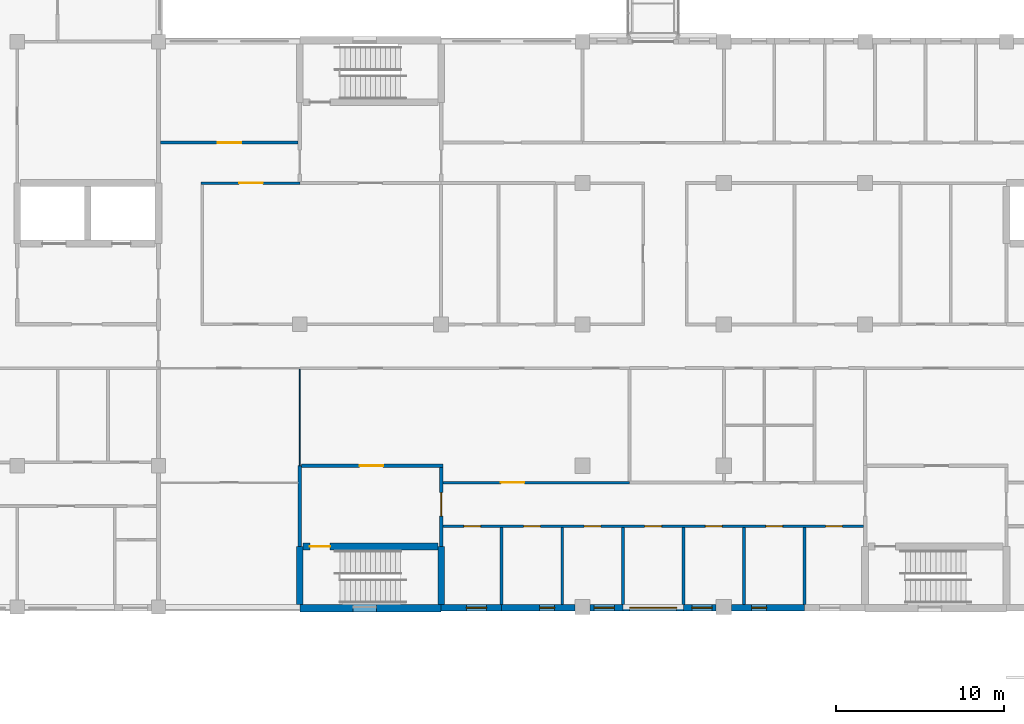
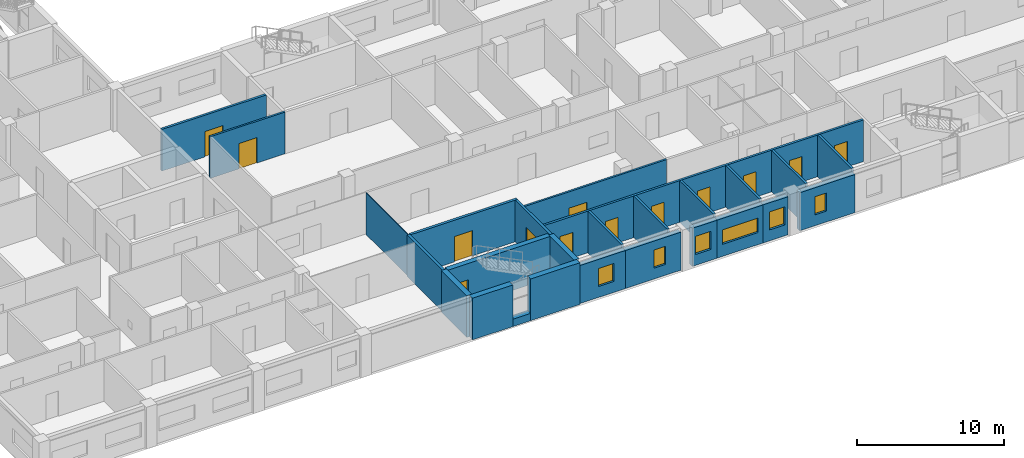
# One storey, part 53 of 94: 26 walls, 13 doors, 6 windows, 19 openings.
"""IFC4 building model written with IfcOpenShell, lengths in metres."""

import ifcopenshell
import ifcopenshell.guid

model = None  # the IFC model being written
_history = None  # IfcOwnerHistory: only IFC2X3 demands one
_inside = {}  # id of a spatial element -> (the spatial element, [elements in it])
_under = {}  # id of a project, library or spatial element -> (it, [spatial elements below it])
_declared = {}  # id of a project -> (the project, [libraries it declares])
_typed = {}  # id of a type object -> (the type object, [elements of that type])
_made_of = {}  # id of a material, layer set ... -> (it, [elements and type objects made of it])


def new_model(schema):
    """Start an empty IFC model of exactly this schema.

    Asked for "IFC4X3", IfcOpenShell would pick the latest addendum, in which some entities
    have other attributes; the version numbers below select the first issue.
    IFC2X3 requires an IfcOwnerHistory on every rooted entity: one is made here for all.
    """
    global model, _history
    if schema == "IFC4X3":
        model = ifcopenshell.file(schema_version=(4, 3, 0, 0))
    else:
        model = ifcopenshell.file(schema=schema)
    _inside.clear()
    _under.clear()
    _declared.clear()
    _typed.clear()
    _made_of.clear()
    _history = None
    if model.schema == "IFC2X3":
        org = make("IfcOrganization", Name="unknown")
        user = make(
            "IfcPersonAndOrganization",
            ThePerson=make("IfcPerson", FamilyName="unknown"),
            TheOrganization=org,
        )
        app = make(
            "IfcApplication",
            ApplicationDeveloper=org,
            Version="unknown",
            ApplicationFullName="unknown",
            ApplicationIdentifier="unknown",
        )
        _history = make(
            "IfcOwnerHistory",
            OwningUser=user,
            OwningApplication=app,
            ChangeAction="ADDED",
            CreationDate=0,
        )
    return model


def make(cls, **values):
    """One entity of the class cls with the attributes given. An attribute that is None is left unset."""
    return model.create_entity(
        cls, **{name: value for name, value in values.items() if value is not None}
    )


def rooted(cls, **values):
    """An entity with a GlobalId (a new one), such as an element, a storey or a relation."""
    return make(cls, GlobalId=ifcopenshell.guid.new(), OwnerHistory=_history, **values)


def si_unit(unit_type, name, prefix=None):
    """IfcSIUnit, for example si_unit("LENGTHUNIT", "METRE", prefix="MILLI")."""
    return make("IfcSIUnit", UnitType=unit_type, Prefix=prefix, Name=name)


def assignment(units):
    """IfcUnitAssignment: the units of a project."""
    return None if units is None else make("IfcUnitAssignment", Units=units)


def point(xyz):
    """IfcCartesianPoint."""
    return None if xyz is None else make("IfcCartesianPoint", Coordinates=xyz)


def direction(xyz):
    """IfcDirection."""
    return None if xyz is None else make("IfcDirection", DirectionRatios=xyz)


def frame(location, z_axis=None, x_axis=None):
    """IfcAxis2Placement3D, a coordinate frame: its origin and axes. An axis left out is left unset."""
    return make(
        "IfcAxis2Placement3D",
        Location=point(location),
        Axis=direction(z_axis),
        RefDirection=direction(x_axis),
    )


def frame_2d(location, x_axis=None):
    """IfcAxis2Placement2D, a coordinate frame in the plane: its origin and x axis."""
    return make(
        "IfcAxis2Placement2D", Location=point(location), RefDirection=direction(x_axis)
    )


def origin():
    """The frame at (0, 0, 0) with its axes left unset."""
    return frame((0.0, 0.0, 0.0))


def place(relative_to, where):
    """IfcLocalPlacement: puts the frame where relative to a parent placement (None: the world)."""
    return make(
        "IfcLocalPlacement", PlacementRelTo=relative_to, RelativePlacement=where
    )


def context(
    kind, dimensions, precision=None, world=None, true_north=None, identifier=None
):
    """IfcGeometricRepresentationContext, for example the 3D "Model" context."""
    return make(
        "IfcGeometricRepresentationContext",
        ContextIdentifier=identifier,
        ContextType=kind,
        CoordinateSpaceDimension=dimensions,
        Precision=precision,
        WorldCoordinateSystem=world,
        TrueNorth=true_north,
    )


def subcontext(parent, identifier, kind, view, scale=None):
    """IfcGeometricRepresentationSubContext, for example "Body" below "Model"."""
    return make(
        "IfcGeometricRepresentationSubContext",
        ContextIdentifier=identifier,
        ContextType=kind,
        ParentContext=parent,
        TargetScale=scale,
        TargetView=view,
    )


def project(units=None, contexts=None):
    """IfcProject with its units and contexts."""
    return rooted(
        "IfcProject",
        Name="project",
        RepresentationContexts=contexts,
        UnitsInContext=assignment(units),
    )


def spatial(cls, under=None, at=None, **own):
    """A site, building, storey or space (cls), placed at a placement, below another one or the project."""
    s = rooted(cls, ObjectPlacement=at, **own)
    if under is not None:
        _under.setdefault(under.id(), (under, []))[1].append(s)
    return s


def profile(cls, at=None, kind="AREA", **sizes):
    """A parametric profile (cls). Its sizes go by their IFC names, for example OverallWidth=200.0."""
    return make(cls, ProfileType=kind, Position=at, **sizes)


def rectangle(**sizes):
    """IfcRectangleProfileDef."""
    return profile("IfcRectangleProfileDef", **sizes)


def extrude(swept, where, along, depth):
    """IfcExtrudedAreaSolid: the profile swept, set in the frame where, extruded along a direction by depth."""
    return make(
        "IfcExtrudedAreaSolid",
        SweptArea=swept,
        Position=where,
        ExtrudedDirection=direction(along),
        Depth=depth,
    )


def shape(context_of_items, identifier, shape_type, items):
    """IfcShapeRepresentation: the items that make up one representation, for example the "Body"."""
    return make(
        "IfcShapeRepresentation",
        ContextOfItems=context_of_items,
        RepresentationIdentifier=identifier,
        RepresentationType=shape_type,
        Items=items,
    )


def material(Name=None, Category=None):
    """IfcMaterial."""
    return make("IfcMaterial", Name=Name, Category=Category)


def layer(
    of_material, thickness, ventilated=None, Name=None, Category=None, Priority=None
):
    """IfcMaterialLayer: one layer of a wall or slab, of a material (None: an air gap)."""
    return make(
        "IfcMaterialLayer",
        Material=of_material,
        LayerThickness=thickness,
        IsVentilated=ventilated,
        Name=Name,
        Category=Category,
        Priority=Priority,
    )


def layer_set(layers, Name=None):
    """IfcMaterialLayerSet."""
    return make("IfcMaterialLayerSet", MaterialLayers=layers, LayerSetName=Name)


def made_of(thing, what):
    """Note that an element or type object is made of a material, layer set ...; save() writes the relation."""
    if what is not None:
        _made_of.setdefault(what.id(), (what, []))[1].append(thing)
    return thing


def type_object(cls, material=None, **own):
    """A type object (cls), such as IfcWallType, which elements share."""
    return made_of(rooted(cls, **own), material)


def element(
    cls,
    number,
    at=None,
    inside=None,
    cuts=None,
    type_object=None,
    material=None,
    context=None,
    identifier="Body",
    shape_type=None,
    held_by="IfcProductDefinitionShape",
    body=None,
    shapes=None,
    **own,
):
    """One element of the class cls, such as IfcWall. Its Tag is "e" and its number.

    at: its placement. inside: the storey or other place that contains it. cuts: it is an
    opening in that element (IfcRelVoidsElement). A single representation is given by context,
    identifier, shape_type and body (its items); several are given by shapes. held_by: the class
    of the entity that holds the representations. save() writes the other relations.
    """
    e = rooted(cls, Tag="e%d" % number, ObjectPlacement=at, **own)
    if body is not None:
        shapes = [shape(context, identifier, shape_type, body)]
    if shapes is not None:
        e.Representation = make(held_by, Representations=shapes)
    if inside is not None:
        _inside.setdefault(inside.id(), (inside, []))[1].append(e)
    if cuts is not None:
        rooted(
            "IfcRelVoidsElement", RelatingBuildingElement=cuts, RelatedOpeningElement=e
        )
    if type_object is not None:
        _typed.setdefault(type_object.id(), (type_object, []))[1].append(e)
    return made_of(e, material)


def fill(opening, filler):
    """IfcRelFillsElement: the door or window that sits in an opening."""
    return rooted(
        "IfcRelFillsElement",
        RelatingOpeningElement=opening,
        RelatedBuildingElement=filler,
    )


def aggregate(whole, parts):
    """IfcRelAggregates: a whole, such as a stair, and the parts it consists of."""
    return rooted("IfcRelAggregates", RelatingObject=whole, RelatedObjects=parts)


def save(model, path):
    """Write the relations noted so far, then the file.

    IfcRelAggregates (storeys below a building ...), IfcRelContainedInSpatialStructure (elements
    in a storey), IfcRelDefinesByType, IfcRelAssociatesMaterial and IfcRelDeclares: one each for
    every whole, place, type object, material and project.
    """
    for whole, parts in _under.values():
        aggregate(whole, parts)
    for where, things in _inside.values():
        rooted(
            "IfcRelContainedInSpatialStructure",
            RelatedElements=things,
            RelatingStructure=where,
        )
    for kind, things in _typed.values():
        rooted("IfcRelDefinesByType", RelatedObjects=things, RelatingType=kind)
    for what, things in _made_of.values():
        rooted("IfcRelAssociatesMaterial", RelatedObjects=things, RelatingMaterial=what)
    for by, libraries in _declared.values():
        rooted("IfcRelDeclares", RelatingContext=by, RelatedDefinitions=libraries)
    model.write(path)


model = new_model("IFC4")

# Units and contexts
model_context = context("Model", 3, precision=1e-05, world=origin(), true_north=direction((0.0, 1.0)))
body_context = subcontext(model_context, "Body", "Model", "MODEL_VIEW")
ifc_project = project(units=[si_unit("LENGTHUNIT", "METRE"), si_unit("AREAUNIT", "SQUARE_METRE"), si_unit("VOLUMEUNIT", "CUBIC_METRE"), si_unit("PLANEANGLEUNIT", "RADIAN"), si_unit("MASSUNIT", "GRAM", prefix="KILO")], contexts=[model_context])

# Site, building, storey
site_placement = place(None, origin())
site = spatial("IfcSite", under=ifc_project, at=site_placement, CompositionType="ELEMENT")
building_placement = place(site_placement, origin())
building = spatial("IfcBuilding", under=site, at=building_placement, Name="Yavir Park General Hospital", CompositionType="ELEMENT")
storey_placement = place(building_placement, frame((0.0, 0.0, 4.5)))
storey = spatial("IfcBuildingStorey", under=building, at=storey_placement, Name="L01", CompositionType="ELEMENT", Elevation=4.5)

# Wall, openings, doors
ifc_material_1 = material(Name="Double-leaf gypsum board acoustic partition on staggered studs")
ifc_layer_1 = layer(ifc_material_1, 0.175048828125)
ifc_layer_set_1 = layer_set([ifc_layer_1], Name="Double-leaf gypsum board acoustic partition on staggered studs")
wall_type_1 = type_object("IfcWallType", Name="Acoustic partition 175", PredefinedType="PARTITIONING", material=ifc_layer_set_1)
wall_1_placement = place(storey_placement, frame((42.10009765625, 4.800048828125, 0.0), z_axis=(0.0, 0.0, 1.0), x_axis=(1.0, 0.0, 0.0)))
wall_1 = element("IfcWall", 1, at=wall_1_placement, inside=storey, type_object=wall_type_1, Name="AP175 L01-006", PredefinedType="PARTITIONING", context=body_context, shape_type="SweptSolid", body=[
    extrude(rectangle(XDim=25.0, YDim=0.175048828125, at=frame_2d((12.5, 0.0))), origin(), (0.0, 0.0, 1.0), 3.449951171875),
])
opening_1_placement = place(wall_1_placement, frame((1.25, 0.0, 0.0)))
opening_1 = element("IfcOpeningElement", 2, at=opening_1_placement, cuts=wall_1, Name="Opening L01.D006", PredefinedType="OPENING", context=body_context, shape_type="SweptSolid", body=[
    extrude(rectangle(XDim=1.0, YDim=2.10009765625, at=frame_2d((0.5, 1.050048828125))), frame((0.0, 0.097412109375, 0.0), z_axis=(0.0, -1.0, 0.0), x_axis=(1.0, 0.0, 0.0)), (0.0, 0.0, 1.0), 0.195068359375),
])
opening_2_placement = place(wall_1_placement, frame((4.800048828125, 0.0, 0.0)))
opening_2 = element("IfcOpeningElement", 3, at=opening_2_placement, cuts=wall_1, Name="Opening L01.D007", PredefinedType="OPENING", context=body_context, shape_type="SweptSolid", body=[
    extrude(rectangle(XDim=1.0, YDim=2.10009765625, at=frame_2d((0.5, 1.050048828125))), frame((0.0, 0.097412109375, 0.0), z_axis=(0.0, -1.0, 0.0), x_axis=(1.0, 0.0, 0.0)), (0.0, 0.0, 1.0), 0.195068359375),
])
opening_3_placement = place(wall_1_placement, frame((8.39990234375, 0.0, 0.0)))
opening_3 = element("IfcOpeningElement", 4, at=opening_3_placement, cuts=wall_1, Name="Opening L01.D008", PredefinedType="OPENING", context=body_context, shape_type="SweptSolid", body=[
    extrude(rectangle(XDim=1.0, YDim=2.10009765625, at=frame_2d((0.5, 1.050048828125))), frame((0.0, 0.097412109375, 0.0), z_axis=(0.0, -1.0, 0.0), x_axis=(1.0, 0.0, 0.0)), (0.0, 0.0, 1.0), 0.195068359375),
])
opening_4_placement = place(wall_1_placement, frame((12.0, 0.0, 0.0)))
opening_4 = element("IfcOpeningElement", 5, at=opening_4_placement, cuts=wall_1, Name="Opening L01.D009", PredefinedType="OPENING", context=body_context, shape_type="SweptSolid", body=[
    extrude(rectangle(XDim=1.0, YDim=2.10009765625, at=frame_2d((0.5, 1.050048828125))), frame((0.0, 0.097412109375, 0.0), z_axis=(0.0, -1.0, 0.0), x_axis=(1.0, 0.0, 0.0)), (0.0, 0.0, 1.0), 0.195068359375),
])
opening_5_placement = place(wall_1_placement, frame((15.60009765625, 0.0, 0.0)))
opening_5 = element("IfcOpeningElement", 6, at=opening_5_placement, cuts=wall_1, Name="Opening L01.D010", PredefinedType="OPENING", context=body_context, shape_type="SweptSolid", body=[
    extrude(rectangle(XDim=1.0, YDim=2.10009765625, at=frame_2d((0.5, 1.050048828125))), frame((0.0, 0.097412109375, 0.0), z_axis=(0.0, -1.0, 0.0), x_axis=(1.0, 0.0, 0.0)), (0.0, 0.0, 1.0), 0.195068359375),
])
opening_6_placement = place(wall_1_placement, frame((19.199951171875, 0.0, 0.0)))
opening_6 = element("IfcOpeningElement", 7, at=opening_6_placement, cuts=wall_1, Name="Opening L01.D011", PredefinedType="OPENING", context=body_context, shape_type="SweptSolid", body=[
    extrude(rectangle(XDim=1.0, YDim=2.10009765625, at=frame_2d((0.5, 1.050048828125))), frame((0.0, 0.097412109375, 0.0), z_axis=(0.0, -1.0, 0.0), x_axis=(1.0, 0.0, 0.0)), (0.0, 0.0, 1.0), 0.195068359375),
])
opening_7_placement = place(wall_1_placement, frame((22.75, 0.0, 0.0)))
opening_7 = element("IfcOpeningElement", 8, at=opening_7_placement, cuts=wall_1, Name="Opening L01.D012", PredefinedType="OPENING", context=body_context, shape_type="SweptSolid", body=[
    extrude(rectangle(XDim=1.0, YDim=2.10009765625, at=frame_2d((0.5, 1.050048828125))), frame((0.0, 0.097412109375, 0.0), z_axis=(0.0, -1.0, 0.0), x_axis=(1.0, 0.0, 0.0)), (0.0, 0.0, 1.0), 0.195068359375),
])
ifc_material_2 = material(Name="Sealed solid-core acoustic door leaf, Rw 42 dB")
door_type_1 = type_object("IfcDoorType", Name="Acoustic door 1000 x 2100", OperationType="SINGLE_SWING_LEFT", PredefinedType="DOOR", material=ifc_material_2)
door_1_placement = place(opening_1_placement, origin())
door_1 = element("IfcDoor", 9, at=door_1_placement, inside=storey, type_object=door_type_1, Name="L01.D006", OperationType="SINGLE_SWING_RIGHT", OverallHeight=2.10009765625, OverallWidth=1.0, PredefinedType="DOOR", context=body_context, shape_type="SweptSolid", body=[
    extrude(rectangle(XDim=1.0, YDim=2.10009765625, at=frame_2d((0.5, 1.050048828125))), frame((0.0, 0.03515625, 0.0), z_axis=(0.0, -1.0, 0.0), x_axis=(1.0, 0.0, 0.0)), (0.0, 0.0, 1.0), 0.070068359375),
])
fill(opening_1, door_1)
door_2_placement = place(opening_2_placement, origin())
door_2 = element("IfcDoor", 10, at=door_2_placement, inside=storey, type_object=door_type_1, Name="L01.D007", OperationType="SINGLE_SWING_LEFT", OverallHeight=2.10009765625, OverallWidth=1.0, PredefinedType="DOOR", context=body_context, shape_type="SweptSolid", body=[
    extrude(rectangle(XDim=1.0, YDim=2.10009765625, at=frame_2d((0.5, 1.050048828125))), frame((0.0, 0.03515625, 0.0), z_axis=(0.0, -1.0, 0.0), x_axis=(1.0, 0.0, 0.0)), (0.0, 0.0, 1.0), 0.070068359375),
])
fill(opening_2, door_2)
door_3_placement = place(opening_3_placement, origin())
door_3 = element("IfcDoor", 11, at=door_3_placement, inside=storey, type_object=door_type_1, Name="L01.D008", OperationType="SINGLE_SWING_LEFT", OverallHeight=2.10009765625, OverallWidth=1.0, PredefinedType="DOOR", context=body_context, shape_type="SweptSolid", body=[
    extrude(rectangle(XDim=1.0, YDim=2.10009765625, at=frame_2d((0.5, 1.050048828125))), frame((0.0, 0.03515625, 0.0), z_axis=(0.0, -1.0, 0.0), x_axis=(1.0, 0.0, 0.0)), (0.0, 0.0, 1.0), 0.070068359375),
])
fill(opening_3, door_3)
door_4_placement = place(opening_4_placement, origin())
door_4 = element("IfcDoor", 12, at=door_4_placement, inside=storey, type_object=door_type_1, Name="L01.D009", OperationType="SINGLE_SWING_LEFT", OverallHeight=2.10009765625, OverallWidth=1.0, PredefinedType="DOOR", context=body_context, shape_type="SweptSolid", body=[
    extrude(rectangle(XDim=1.0, YDim=2.10009765625, at=frame_2d((0.5, 1.050048828125))), frame((0.0, 0.03515625, 0.0), z_axis=(0.0, -1.0, 0.0), x_axis=(1.0, 0.0, 0.0)), (0.0, 0.0, 1.0), 0.070068359375),
])
fill(opening_4, door_4)
door_5_placement = place(opening_5_placement, origin())
door_5 = element("IfcDoor", 13, at=door_5_placement, inside=storey, type_object=door_type_1, Name="L01.D010", OperationType="SINGLE_SWING_LEFT", OverallHeight=2.10009765625, OverallWidth=1.0, PredefinedType="DOOR", context=body_context, shape_type="SweptSolid", body=[
    extrude(rectangle(XDim=1.0, YDim=2.10009765625, at=frame_2d((0.5, 1.050048828125))), frame((0.0, 0.03515625, 0.0), z_axis=(0.0, -1.0, 0.0), x_axis=(1.0, 0.0, 0.0)), (0.0, 0.0, 1.0), 0.070068359375),
])
fill(opening_5, door_5)
door_6_placement = place(opening_6_placement, origin())
door_6 = element("IfcDoor", 14, at=door_6_placement, inside=storey, type_object=door_type_1, Name="L01.D011", OperationType="SINGLE_SWING_LEFT", OverallHeight=2.10009765625, OverallWidth=1.0, PredefinedType="DOOR", context=body_context, shape_type="SweptSolid", body=[
    extrude(rectangle(XDim=1.0, YDim=2.10009765625, at=frame_2d((0.5, 1.050048828125))), frame((0.0, 0.03515625, 0.0), z_axis=(0.0, -1.0, 0.0), x_axis=(1.0, 0.0, 0.0)), (0.0, 0.0, 1.0), 0.070068359375),
])
fill(opening_6, door_6)
door_7_placement = place(opening_7_placement, origin())
door_7 = element("IfcDoor", 15, at=door_7_placement, inside=storey, type_object=door_type_1, Name="L01.D012", OperationType="SINGLE_SWING_LEFT", OverallHeight=2.10009765625, OverallWidth=1.0, PredefinedType="DOOR", context=body_context, shape_type="SweptSolid", body=[
    extrude(rectangle(XDim=1.0, YDim=2.10009765625, at=frame_2d((0.5, 1.050048828125))), frame((0.0, 0.03515625, 0.0), z_axis=(0.0, -1.0, 0.0), x_axis=(1.0, 0.0, 0.0)), (0.0, 0.0, 1.0), 0.070068359375),
])
fill(opening_7, door_7)

# Wall, opening, door
wall_2_placement = place(storey_placement, frame((25.324951171875, 27.60009765625, 0.0), z_axis=(0.0, 0.0, 1.0), x_axis=(1.0, 0.0, 0.0)))
wall_2 = element("IfcWall", 16, at=wall_2_placement, inside=storey, type_object=wall_type_1, Name="AP175 L01-113", PredefinedType="PARTITIONING", context=body_context, shape_type="SweptSolid", body=[
    extrude(rectangle(XDim=8.175048828125, YDim=0.175048828125, at=frame_2d((4.08740234375, 0.0))), origin(), (0.0, 0.0, 1.0), 3.449951171875),
])
opening_8_placement = place(wall_2_placement, frame((3.387451171875, 0.0, 0.0)))
opening_8 = element("IfcOpeningElement", 17, at=opening_8_placement, cuts=wall_2, Name="Opening L01.D115", PredefinedType="OPENING", context=body_context, shape_type="SweptSolid", body=[
    extrude(rectangle(XDim=1.39990234375, YDim=2.10009765625, at=frame_2d((0.699951171875, 1.050048828125))), frame((0.0, 0.097412109375, 0.0), z_axis=(0.0, -1.0, 0.0), x_axis=(1.0, 0.0, 0.0)), (0.0, 0.0, 1.0), 0.195068359375),
])
ifc_material_3 = material(Name="Hollow metal frame, solid-core timber leaf", Category="wood")
door_type_2 = type_object("IfcDoorType", Name="Double swing door 1400 x 2100", OperationType="DOUBLE_DOOR_SINGLE_SWING", PredefinedType="DOOR", material=ifc_material_3)
door_8_placement = place(opening_8_placement, origin())
door_8 = element("IfcDoor", 18, at=door_8_placement, inside=storey, type_object=door_type_2, Name="L01.D115", OperationType="SINGLE_SWING_RIGHT", OverallHeight=2.10009765625, OverallWidth=1.39990234375, PredefinedType="DOOR", context=body_context, shape_type="SweptSolid", body=[
    extrude(rectangle(XDim=1.39990234375, YDim=2.10009765625, at=frame_2d((0.699951171875, 1.050048828125))), frame((0.0, 0.02490234375, 0.0), z_axis=(0.0, -1.0, 0.0), x_axis=(1.0, 0.0, 0.0)), (0.0, 0.0, 1.0), 0.050048828125),
])
fill(opening_8, door_8)

# Walls
for number, where, z_axis, x_axis, name in (
    (19, (45.60009765625, 0.14990234375, 0.0), (0.0, 0.0, 1.0), (0.0, 1.0, 0.0), "AP175 L01-344"),
    (20, (49.199951171875, 0.14990234375, 0.0), (0.0, 0.0, 1.0), (0.0, 1.0, 0.0), "AP175 L01-348"),
    (21, (52.800048828125, 0.14990234375, 0.0), (0.0, 0.0, 1.0), (0.0, 1.0, 0.0), "AP175 L01-353"),
    (22, (56.39990234375, 0.14990234375, 0.0), (0.0, 0.0, 1.0), (0.0, 1.0, 0.0), "AP175 L01-357"),
    (23, (60.0, 0.14990234375, 0.0), (0.0, 0.0, 1.0), (0.0, 1.0, 0.0), "AP175 L01-365"),
    (24, (63.60009765625, 0.14990234375, 0.0), (0.0, 0.0, 1.0), (0.0, 1.0, 0.0), "AP175 L01-371"),
):
    element("IfcWall", number, at=place(storey_placement, frame(where, z_axis=z_axis, x_axis=x_axis)), inside=storey, type_object=wall_type_1, Name=name, PredefinedType="PARTITIONING", context=body_context, shape_type="SweptSolid", body=[
        extrude(rectangle(XDim=4.5625, YDim=0.175048828125, at=frame_2d((2.28125, 0.0))), origin(), (0.0, 0.0, 1.0), 3.449951171875),
    ])

# Wall, opening, door
ifc_material_4 = material(Name="Double gypsum board fire partition on steel studs", Category="steel")
ifc_layer_2 = layer(ifc_material_4, 0.199951171875)
ifc_layer_set_2 = layer_set([ifc_layer_2], Name="Double gypsum board fire partition on steel studs")
wall_type_2 = type_object("IfcWallType", Name="Fire-rated partition 200, EI 60", PredefinedType="PARTITIONING", material=ifc_layer_set_2)
wall_3_placement = place(storey_placement, frame((33.699951171875, 8.39990234375, 0.0), z_axis=(0.0, 0.0, 1.0), x_axis=(1.0, 0.0, 0.0)))
wall_3 = element("IfcWall", 25, at=wall_3_placement, inside=storey, type_object=wall_type_2, Name="FP20 L01-029", PredefinedType="PARTITIONING", context=body_context, shape_type="SweptSolid", body=[
    extrude(rectangle(XDim=8.400146484375, YDim=0.199951171875, at=frame_2d((4.2001953125, 0.0))), origin(), (0.0, 0.0, 1.0), 3.449951171875),
])
opening_9_placement = place(wall_3_placement, frame((3.449951171875, 0.0, 0.0)))
opening_9 = element("IfcOpeningElement", 26, at=opening_9_placement, cuts=wall_3, Name="Opening L01.D045", PredefinedType="OPENING", context=body_context, shape_type="SweptSolid", body=[
    extrude(rectangle(XDim=1.39990234375, YDim=2.10009765625, at=frame_2d((0.699951171875, 1.050048828125))), frame((0.0, 0.10986328125, 0.0), z_axis=(0.0, -1.0, 0.0), x_axis=(1.0, 0.0, 0.0)), (0.0, 0.0, 1.0), 0.219970703125),
])
ifc_material_5 = material(Name="Steel frame, fire-resisting timber leaves", Category="steel")
door_type_3 = type_object("IfcDoorType", Name="Double fire door 1400 x 2100, EI 60", OperationType="DOUBLE_DOOR_SINGLE_SWING", PredefinedType="DOOR", material=ifc_material_5)
door_9_placement = place(opening_9_placement, origin())
door_9 = element("IfcDoor", 27, at=door_9_placement, inside=storey, type_object=door_type_3, Name="L01.D045", OperationType="SINGLE_SWING_RIGHT", OverallHeight=2.10009765625, OverallWidth=1.39990234375, PredefinedType="DOOR", context=body_context, shape_type="SweptSolid", body=[
    extrude(rectangle(XDim=1.39990234375, YDim=2.10009765625, at=frame_2d((0.699951171875, 1.050048828125))), frame((0.0, 0.02490234375, 0.0), z_axis=(0.0, -1.0, 0.0), x_axis=(1.0, 0.0, 0.0)), (0.0, 0.0, 1.0), 0.050048828125),
])
fill(opening_9, door_9)

# Wall
wall_4_placement = place(storey_placement, frame((33.60009765625, 3.60009765625, 0.0), z_axis=(0.0, 0.0, 1.0), x_axis=(0.0, 1.0, 0.0)))
element("IfcWall", 28, at=wall_4_placement, inside=storey, type_object=wall_type_2, Name="FP20 L01-327", PredefinedType="PARTITIONING", context=body_context, shape_type="SweptSolid", body=[
    extrude(rectangle(XDim=4.7998046875, YDim=0.199951171875, at=frame_2d((2.39990234375, 0.0))), origin(), (0.0, 0.0, 1.0), 3.449951171875),
])

# Wall, opening, door
wall_5_placement = place(storey_placement, frame((42.0, 3.60009765625, 0.0), z_axis=(0.0, 0.0, 1.0), x_axis=(0.0, 1.0, 0.0)))
wall_5 = element("IfcWall", 29, at=wall_5_placement, inside=storey, type_object=wall_type_2, Name="FP20 L01-335", PredefinedType="PARTITIONING", context=body_context, shape_type="SweptSolid", body=[
    extrude(rectangle(XDim=4.699951171875, YDim=0.199951171875, at=frame_2d((2.35009765625, 0.0))), origin(), (0.0, 0.0, 1.0), 3.449951171875),
])
opening_10_placement = place(wall_5_placement, frame((1.800048828125, 0.0, 0.0)))
opening_10 = element("IfcOpeningElement", 30, at=opening_10_placement, cuts=wall_5, Name="Opening L01.D230", PredefinedType="OPENING", context=body_context, shape_type="SweptSolid", body=[
    extrude(rectangle(XDim=1.39990234375, YDim=2.10009765625, at=frame_2d((0.699951171875, 1.050048828125))), frame((0.0, 0.10986328125, 0.0), z_axis=(0.0, -1.0, 0.0), x_axis=(1.0, 0.0, 0.0)), (0.0, 0.0, 1.0), 0.219970703125),
])
ifc_material_6 = material(Name="Steel frame, fire-resisting leaves with vision panels", Category="steel")
door_type_4 = type_object("IfcDoorType", Name="Double fire door with vision panels 1400 x 2100, EI 60", OperationType="DOUBLE_DOOR_SINGLE_SWING", PredefinedType="DOOR", material=ifc_material_6)
door_10_placement = place(opening_10_placement, origin())
door_10 = element("IfcDoor", 31, at=door_10_placement, inside=storey, type_object=door_type_4, Name="L01.D230", OperationType="SINGLE_SWING_LEFT", OverallHeight=2.10009765625, OverallWidth=1.39990234375, PredefinedType="DOOR", context=body_context, shape_type="SweptSolid", body=[
    extrude(rectangle(XDim=1.39990234375, YDim=2.10009765625, at=frame_2d((0.699951171875, 1.050048828125))), frame((0.0, 0.030029296875, 0.0), z_axis=(0.0, -1.0, 0.0), x_axis=(1.0, 0.0, 0.0)), (0.0, 0.0, 1.0), 0.06005859375),
])
fill(opening_10, door_10)

ifc_material_7 = material(Name="Gypsum board partition on steel studs", Category="steel")
ifc_layer_3 = layer(ifc_material_7, 0.14990234375)
ifc_layer_set_3 = layer_set([ifc_layer_3], Name="Gypsum board partition on steel studs")
wall_type_3 = type_object("IfcWallType", Name="Gypsum board partition 150", PredefinedType="PARTITIONING", material=ifc_layer_set_3)
wall_6_placement = place(storey_placement, frame((42.10009765625, 7.39990234375, 0.0), z_axis=(0.0, 0.0, 1.0), x_axis=(1.0, 0.0, 0.0)))
wall_6 = element("IfcWall", 32, at=wall_6_placement, inside=storey, type_object=wall_type_3, Name="P15 L01-016", PredefinedType="PARTITIONING", context=body_context, shape_type="SweptSolid", body=[
    extrude(rectangle(XDim=11.099853515625, YDim=0.14990234375, at=frame_2d((5.5498046875, 0.0))), origin(), (0.0, 0.0, 1.0), 3.449951171875),
])
opening_11_placement = place(wall_6_placement, frame((3.449951171875, 0.0, 0.0)))
opening_11 = element("IfcOpeningElement", 33, at=opening_11_placement, cuts=wall_6, Name="Opening L01.D037", PredefinedType="OPENING", context=body_context, shape_type="SweptSolid", body=[
    extrude(rectangle(XDim=1.39990234375, YDim=2.10009765625, at=frame_2d((0.699951171875, 1.050048828125))), frame((0.0, 0.0849609375, 0.0), z_axis=(0.0, -1.0, 0.0), x_axis=(1.0, 0.0, 0.0)), (0.0, 0.0, 1.0), 0.169921875),
])
door_11_placement = place(opening_11_placement, origin())
door_11 = element("IfcDoor", 34, at=door_11_placement, inside=storey, type_object=door_type_2, Name="L01.D037", OperationType="SINGLE_SWING_LEFT", OverallHeight=2.10009765625, OverallWidth=1.39990234375, PredefinedType="DOOR", context=body_context, shape_type="SweptSolid", body=[
    extrude(rectangle(XDim=1.39990234375, YDim=2.10009765625, at=frame_2d((0.699951171875, 1.050048828125))), frame((0.0, 0.02490234375, 0.0), z_axis=(0.0, -1.0, 0.0), x_axis=(1.0, 0.0, 0.0)), (0.0, 0.0, 1.0), 0.050048828125),
])
fill(opening_11, door_11)

wall_7_placement = place(storey_placement, frame((27.72509765625, 25.199951171875, 0.0), z_axis=(0.0, 0.0, 1.0), x_axis=(1.0, 0.0, 0.0)))
wall_7 = element("IfcWall", 35, at=wall_7_placement, inside=storey, type_object=wall_type_3, Name="P15 L01-094", PredefinedType="PARTITIONING", context=body_context, shape_type="SweptSolid", body=[
    extrude(rectangle(XDim=5.875, YDim=0.14990234375, at=frame_2d((2.9375, 0.0))), origin(), (0.0, 0.0, 1.0), 3.449951171875),
])
opening_12_placement = place(wall_7_placement, frame((2.27490234375, 0.0, 0.0)))
opening_12 = element("IfcOpeningElement", 36, at=opening_12_placement, cuts=wall_7, Name="Opening L01.D111", PredefinedType="OPENING", context=body_context, shape_type="SweptSolid", body=[
    extrude(rectangle(XDim=1.39990234375, YDim=2.10009765625, at=frame_2d((0.699951171875, 1.050048828125))), frame((0.0, 0.0849609375, 0.0), z_axis=(0.0, -1.0, 0.0), x_axis=(1.0, 0.0, 0.0)), (0.0, 0.0, 1.0), 0.169921875),
])
door_12_placement = place(opening_12_placement, origin())
door_12 = element("IfcDoor", 37, at=door_12_placement, inside=storey, type_object=door_type_2, Name="L01.D111", OperationType="SINGLE_SWING_LEFT", OverallHeight=2.10009765625, OverallWidth=1.39990234375, PredefinedType="DOOR", context=body_context, shape_type="SweptSolid", body=[
    extrude(rectangle(XDim=1.39990234375, YDim=2.10009765625, at=frame_2d((0.699951171875, 1.050048828125))), frame((0.0, 0.02490234375, 0.0), z_axis=(0.0, -1.0, 0.0), x_axis=(1.0, 0.0, 0.0)), (0.0, 0.0, 1.0), 0.050048828125),
])
fill(opening_12, door_12)

# Wall
ifc_material_8 = material(Name="Hygienic sandwich panel with galvanised steel sheet faces", Category="steel")
ifc_layer_4 = layer(ifc_material_8, 0.06005859375)
ifc_layer_set_4 = layer_set([ifc_layer_4], Name="Hygienic sandwich panel with galvanised steel sheet faces")
wall_type_4 = type_object("IfcWallType", Name="Hygienic panel partition 60", PredefinedType="PARTITIONING", material=ifc_layer_set_4)
wall_8_placement = place(storey_placement, frame((33.60009765625, 8.39990234375, 0.0), z_axis=(0.0, 0.0, 1.0), x_axis=(0.0, 1.0, 0.0)))
element("IfcWall", 38, at=wall_8_placement, inside=storey, type_object=wall_type_4, Name="HP60 L01-328", PredefinedType="PARTITIONING", context=body_context, shape_type="SweptSolid", body=[
    extrude(rectangle(XDim=5.72509765625, YDim=0.06005859375, at=frame_2d((2.862548828125, 0.0))), origin(), (0.0, 0.0, 1.0), 3.449951171875),
])

# Wall, opening, window
ifc_material_9 = material(Name="Autoclaved aerated block, 150 mm mineral wool and sand-coloured mineral render")
ifc_layer_5 = layer(ifc_material_9, 0.375)
ifc_layer_set_5 = layer_set([ifc_layer_5], Name="Autoclaved aerated block, 150 mm mineral wool and sand-coloured mineral render")
wall_type_5 = type_object("IfcWallType", Name="Mineral render clinical wall 375, E 30", PredefinedType="SOLIDWALL", material=ifc_layer_set_5)
wall_9_placement = place(storey_placement, frame((42.0, -0.03759765625, 0.0), z_axis=(0.0, 0.0, 1.0), x_axis=(1.0, 0.0, 0.0)))
wall_9 = element("IfcWall", 39, at=wall_9_placement, inside=storey, type_object=wall_type_5, Name="XW1 L01-009", PredefinedType="SOLIDWALL", context=body_context, shape_type="SweptSolid", body=[
    extrude(rectangle(XDim=3.60009765625, YDim=0.375, at=frame_2d((1.800048828125, 0.0))), origin(), (0.0, 0.0, 1.0), 3.14990234375),
])
opening_13_placement = place(wall_9_placement, frame((1.5, 0.0, 0.89990234375)))
opening_13 = element("IfcOpeningElement", 40, at=opening_13_placement, cuts=wall_9, Name="Opening WD", PredefinedType="OPENING", context=body_context, shape_type="SweptSolid", body=[
    extrude(rectangle(XDim=1.199951171875, YDim=1.5, at=frame_2d((0.60009765625, 0.75))), frame((0.0, 0.197509765625, 0.0), z_axis=(0.0, -1.0, 0.0), x_axis=(1.0, 0.0, 0.0)), (0.0, 0.0, 1.0), 0.39501953125),
])
ifc_material_10 = material(Name="Aluminium frame, double glazed unit", Category="aluminium")
window_type_1 = type_object("IfcWindowType", Name="Office window 1200 x 1500", PartitioningType="SINGLE_PANEL", PredefinedType="WINDOW", material=ifc_material_10)
window_1_placement = place(opening_13_placement, origin())
window_1 = element("IfcWindow", 41, at=window_1_placement, inside=storey, type_object=window_type_1, Name="WD L01-007", OverallHeight=1.5, OverallWidth=1.199951171875, PartitioningType="SINGLE_PANEL", PredefinedType="WINDOW", context=body_context, shape_type="SweptSolid", body=[
    extrude(rectangle(XDim=1.199951171875, YDim=1.5, at=frame_2d((0.60009765625, 0.75))), frame((0.0, 0.030029296875, 0.0), z_axis=(0.0, -1.0, 0.0), x_axis=(1.0, 0.0, 0.0)), (0.0, 0.0, 1.0), 0.06005859375),
])
fill(opening_13, window_1)

wall_10_placement = place(storey_placement, frame((45.60009765625, -0.03759765625, 0.0), z_axis=(0.0, 0.0, 1.0), x_axis=(1.0, 0.0, 0.0)))
wall_10 = element("IfcWall", 42, at=wall_10_placement, inside=storey, type_object=wall_type_5, Name="XW1 L01-010", PredefinedType="SOLIDWALL", context=body_context, shape_type="SweptSolid", body=[
    extrude(rectangle(XDim=4.349853515625, YDim=0.375, at=frame_2d((2.1748046875, 0.0))), origin(), (0.0, 0.0, 1.0), 3.14990234375),
])
opening_14_placement = place(wall_10_placement, frame((2.25, 0.0, 0.89990234375)))
opening_14 = element("IfcOpeningElement", 43, at=opening_14_placement, cuts=wall_10, Name="Opening WH", PredefinedType="OPENING", context=body_context, shape_type="SweptSolid", body=[
    extrude(rectangle(XDim=0.89990234375, YDim=1.5, at=frame_2d((0.449951171875, 0.75))), frame((0.0, 0.197509765625, 0.0), z_axis=(0.0, -1.0, 0.0), x_axis=(1.0, 0.0, 0.0)), (0.0, 0.0, 1.0), 0.39501953125),
])
ifc_material_11 = material(Name="Aluminium frame, double glazed unit", Category="aluminium")
window_type_2 = type_object("IfcWindowType", Name="Narrow window 900 x 1500", PartitioningType="SINGLE_PANEL", PredefinedType="WINDOW", material=ifc_material_11)
window_2_placement = place(opening_14_placement, origin())
window_2 = element("IfcWindow", 44, at=window_2_placement, inside=storey, type_object=window_type_2, Name="WH L01-008", OverallHeight=1.5, OverallWidth=0.89990234375, PartitioningType="SINGLE_PANEL", PredefinedType="WINDOW", context=body_context, shape_type="SweptSolid", body=[
    extrude(rectangle(XDim=0.89990234375, YDim=1.5, at=frame_2d((0.449951171875, 0.75))), frame((0.0, 0.030029296875, 0.0), z_axis=(0.0, -1.0, 0.0), x_axis=(1.0, 0.0, 0.0)), (0.0, 0.0, 1.0), 0.06005859375),
])
fill(opening_14, window_2)

wall_11_placement = place(storey_placement, frame((50.85009765625, -0.03759765625, 0.0), z_axis=(0.0, 0.0, 1.0), x_axis=(1.0, 0.0, 0.0)))
wall_11 = element("IfcWall", 45, at=wall_11_placement, inside=storey, type_object=wall_type_5, Name="XW1 L01-012", PredefinedType="SOLIDWALL", context=body_context, shape_type="SweptSolid", body=[
    extrude(rectangle(XDim=1.949951171875, YDim=0.375, at=frame_2d((0.97509765625, 0.0))), origin(), (0.0, 0.0, 1.0), 3.14990234375),
])
opening_15_placement = place(wall_11_placement, frame((0.25, 0.0, 0.89990234375)))
opening_15 = element("IfcOpeningElement", 46, at=opening_15_placement, cuts=wall_11, Name="Opening WD", PredefinedType="OPENING", context=body_context, shape_type="SweptSolid", body=[
    extrude(rectangle(XDim=1.199951171875, YDim=1.5, at=frame_2d((0.60009765625, 0.75))), frame((0.0, 0.197509765625, 0.0), z_axis=(0.0, -1.0, 0.0), x_axis=(1.0, 0.0, 0.0)), (0.0, 0.0, 1.0), 0.39501953125),
])
window_3_placement = place(opening_15_placement, origin())
window_3 = element("IfcWindow", 47, at=window_3_placement, inside=storey, type_object=window_type_1, Name="WD L01-009", OverallHeight=1.5, OverallWidth=1.199951171875, PartitioningType="SINGLE_PANEL", PredefinedType="WINDOW", context=body_context, shape_type="SweptSolid", body=[
    extrude(rectangle(XDim=1.199951171875, YDim=1.5, at=frame_2d((0.60009765625, 0.75))), frame((0.0, 0.030029296875, 0.0), z_axis=(0.0, -1.0, 0.0), x_axis=(1.0, 0.0, 0.0)), (0.0, 0.0, 1.0), 0.06005859375),
])
fill(opening_15, window_3)

wall_12_placement = place(storey_placement, frame((52.800048828125, -0.03759765625, 0.0), z_axis=(0.0, 0.0, 1.0), x_axis=(1.0, 0.0, 0.0)))
wall_12 = element("IfcWall", 48, at=wall_12_placement, inside=storey, type_object=wall_type_5, Name="XW1 L01-013", PredefinedType="SOLIDWALL", context=body_context, shape_type="SweptSolid", body=[
    extrude(rectangle(XDim=3.599853515625, YDim=0.375, at=frame_2d((1.7998046875, 0.0))), origin(), (0.0, 0.0, 1.0), 3.14990234375),
])
opening_16_placement = place(wall_12_placement, frame((0.39990234375, 0.0, 1.0)))
opening_16 = element("IfcOpeningElement", 49, at=opening_16_placement, cuts=wall_12, Name="Opening WRB", PredefinedType="OPENING", context=body_context, shape_type="SweptSolid", body=[
    extrude(rectangle(XDim=2.800048828125, YDim=1.199951171875, at=frame_2d((1.39990234375, 0.60009765625))), frame((0.0, 0.197509765625, 0.0), z_axis=(0.0, -1.0, 0.0), x_axis=(1.0, 0.0, 0.0)), (0.0, 0.0, 1.0), 0.39501953125),
])
ifc_material_12 = material(Name="Aluminium frame, double glazed unit", Category="aluminium")
window_type_3 = type_object("IfcWindowType", Name="Ribbon window 2800 x 1200", PartitioningType="DOUBLE_PANEL_VERTICAL", PredefinedType="WINDOW", material=ifc_material_12)
window_4_placement = place(opening_16_placement, origin())
window_4 = element("IfcWindow", 50, at=window_4_placement, inside=storey, type_object=window_type_3, Name="WRB L01-010", OverallHeight=1.199951171875, OverallWidth=2.800048828125, PartitioningType="DOUBLE_PANEL_VERTICAL", PredefinedType="WINDOW", context=body_context, shape_type="SweptSolid", body=[
    extrude(rectangle(XDim=2.800048828125, YDim=1.199951171875, at=frame_2d((1.39990234375, 0.60009765625))), frame((0.0, 0.030029296875, 0.0), z_axis=(0.0, -1.0, 0.0), x_axis=(1.0, 0.0, 0.0)), (0.0, 0.0, 1.0), 0.06005859375),
])
fill(opening_16, window_4)

wall_13_placement = place(storey_placement, frame((56.39990234375, -0.03759765625, 0.0), z_axis=(0.0, 0.0, 1.0), x_axis=(1.0, 0.0, 0.0)))
wall_13 = element("IfcWall", 51, at=wall_13_placement, inside=storey, type_object=wall_type_5, Name="XW1 L01-014", PredefinedType="SOLIDWALL", context=body_context, shape_type="SweptSolid", body=[
    extrude(rectangle(XDim=1.9501953125, YDim=0.375, at=frame_2d((0.97509765625, 0.0))), origin(), (0.0, 0.0, 1.0), 3.14990234375),
])
opening_17_placement = place(wall_13_placement, frame((0.5, 0.0, 0.89990234375)))
opening_17 = element("IfcOpeningElement", 52, at=opening_17_placement, cuts=wall_13, Name="Opening WD", PredefinedType="OPENING", context=body_context, shape_type="SweptSolid", body=[
    extrude(rectangle(XDim=1.199951171875, YDim=1.5, at=frame_2d((0.60009765625, 0.75))), frame((0.0, 0.197509765625, 0.0), z_axis=(0.0, -1.0, 0.0), x_axis=(1.0, 0.0, 0.0)), (0.0, 0.0, 1.0), 0.39501953125),
])
window_5_placement = place(opening_17_placement, origin())
window_5 = element("IfcWindow", 53, at=window_5_placement, inside=storey, type_object=window_type_1, Name="WD L01-011", OverallHeight=1.5, OverallWidth=1.199951171875, PartitioningType="SINGLE_PANEL", PredefinedType="WINDOW", context=body_context, shape_type="SweptSolid", body=[
    extrude(rectangle(XDim=1.199951171875, YDim=1.5, at=frame_2d((0.60009765625, 0.75))), frame((0.0, 0.030029296875, 0.0), z_axis=(0.0, -1.0, 0.0), x_axis=(1.0, 0.0, 0.0)), (0.0, 0.0, 1.0), 0.06005859375),
])
fill(opening_17, window_5)

wall_14_placement = place(storey_placement, frame((59.25, -0.03759765625, 0.0), z_axis=(0.0, 0.0, 1.0), x_axis=(1.0, 0.0, 0.0)))
wall_14 = element("IfcWall", 54, at=wall_14_placement, inside=storey, type_object=wall_type_5, Name="XW1 L01-016", PredefinedType="SOLIDWALL", context=body_context, shape_type="SweptSolid", body=[
    extrude(rectangle(XDim=4.35009765625, YDim=0.375, at=frame_2d((2.175048828125, 0.0))), origin(), (0.0, 0.0, 1.0), 3.14990234375),
])
opening_18_placement = place(wall_14_placement, frame((1.199951171875, 0.0, 0.89990234375)))
opening_18 = element("IfcOpeningElement", 55, at=opening_18_placement, cuts=wall_14, Name="Opening WH", PredefinedType="OPENING", context=body_context, shape_type="SweptSolid", body=[
    extrude(rectangle(XDim=0.89990234375, YDim=1.5, at=frame_2d((0.449951171875, 0.75))), frame((0.0, 0.197509765625, 0.0), z_axis=(0.0, -1.0, 0.0), x_axis=(1.0, 0.0, 0.0)), (0.0, 0.0, 1.0), 0.39501953125),
])
window_6_placement = place(opening_18_placement, origin())
window_6 = element("IfcWindow", 56, at=window_6_placement, inside=storey, type_object=window_type_2, Name="WH L01-012", OverallHeight=1.5, OverallWidth=0.89990234375, PartitioningType="SINGLE_PANEL", PredefinedType="WINDOW", context=body_context, shape_type="SweptSolid", body=[
    extrude(rectangle(XDim=0.89990234375, YDim=1.5, at=frame_2d((0.449951171875, 0.75))), frame((0.0, 0.030029296875, 0.0), z_axis=(0.0, -1.0, 0.0), x_axis=(1.0, 0.0, 0.0)), (0.0, 0.0, 1.0), 0.06005859375),
])
fill(opening_18, window_6)

# Wall, opening, door
ifc_material_13 = material(Name="Concrete C35/45", Category="concrete")
ifc_layer_6 = layer(ifc_material_13, 0.39990234375)
ifc_layer_set_6 = layer_set([ifc_layer_6], Name="Concrete C35/45")
wall_type_6 = type_object("IfcWallType", Name="Reinforced concrete core wall 400, REI 150", PredefinedType="SHEAR", material=ifc_layer_set_6)
wall_15_placement = place(storey_placement, frame((33.800048828125, 3.60009765625, 0.0), z_axis=(0.0, 0.0, 1.0), x_axis=(1.0, 0.0, 0.0)))
wall_15 = element("IfcWall", 57, at=wall_15_placement, inside=storey, type_object=wall_type_6, Name="CW40 L01-001", PredefinedType="SHEAR", context=body_context, shape_type="SweptSolid", body=[
    extrude(rectangle(XDim=8.0, YDim=0.39990234375, at=frame_2d((4.0, 0.0))), origin(), (0.0, 0.0, 1.0), 3.449951171875),
])
opening_19_placement = place(wall_15_placement, frame((0.39990234375, 0.0, 0.0)))
opening_19 = element("IfcOpeningElement", 58, at=opening_19_placement, cuts=wall_15, Name="Opening L01.D001", PredefinedType="OPENING", context=body_context, shape_type="SweptSolid", body=[
    extrude(rectangle(XDim=1.199951171875, YDim=2.10009765625, at=frame_2d((0.60009765625, 1.050048828125))), frame((0.0, 0.2099609375, 0.0), z_axis=(0.0, -1.0, 0.0), x_axis=(1.0, 0.0, 0.0)), (0.0, 0.0, 1.0), 0.419921875),
])
ifc_material_14 = material(Name="Steel frame, fire-resisting timber leaf", Category="steel")
door_type_5 = type_object("IfcDoorType", Name="Fire door 1200 x 2100, EI 60", OperationType="SINGLE_SWING_LEFT", PredefinedType="DOOR", material=ifc_material_14)
door_13_placement = place(opening_19_placement, origin())
door_13 = element("IfcDoor", 59, at=door_13_placement, inside=storey, type_object=door_type_5, Name="L01.D001", OperationType="SINGLE_SWING_LEFT", OverallHeight=2.10009765625, OverallWidth=1.199951171875, PredefinedType="DOOR", context=body_context, shape_type="SweptSolid", body=[
    extrude(rectangle(XDim=1.199951171875, YDim=2.10009765625, at=frame_2d((0.60009765625, 1.050048828125))), frame((0.0, 0.02490234375, 0.0), z_axis=(0.0, -1.0, 0.0), x_axis=(1.0, 0.0, 0.0)), (0.0, 0.0, 1.0), 0.050048828125),
])
fill(opening_19, door_13)

# Walls
for number, where, z_axis, x_axis, name in (
    (60, (33.60009765625, 0.14990234375, 0.0), (0.0, 0.0, 1.0), (0.0, 1.0, 0.0), "CW40 L01-326"),
    (61, (42.0, 0.14990234375, 0.0), (0.0, 0.0, 1.0), (0.0, 1.0, 0.0), "CW40 L01-334"),
):
    element("IfcWall", number, at=place(storey_placement, frame(where, z_axis=z_axis, x_axis=x_axis)), inside=storey, type_object=wall_type_6, Name=name, PredefinedType="SHEAR", context=body_context, shape_type="SweptSolid", body=[
        extrude(rectangle(XDim=3.4501953125, YDim=0.39990234375, at=frame_2d((1.72509765625, 0.0))), origin(), (0.0, 0.0, 1.0), 3.449951171875),
    ])
ifc_material_15 = material(Name="Concrete C30/37 precast panel with 150 mm mineral wool insulation", Category="concrete")
ifc_layer_7 = layer(ifc_material_15, 0.449951171875)
ifc_layer_set_7 = layer_set([ifc_layer_7], Name="Concrete C30/37 precast panel with 150 mm mineral wool insulation")
wall_type_7 = type_object("IfcWallType", Name="Stair enclosure wall 450, REI 150", PredefinedType="SOLIDWALL", material=ifc_layer_set_7)
wall_16_placement = place(storey_placement, frame((33.60009765625, -0.074951171875, 0.0), z_axis=(0.0, 0.0, 1.0), x_axis=(1.0, 0.0, 0.0)))
element("IfcWall", 62, at=wall_16_placement, inside=storey, type_object=wall_type_7, Name="XW6 L01-006", PredefinedType="SOLIDWALL", context=body_context, shape_type="SweptSolid", body=[
    extrude(rectangle(XDim=3.14990234375, YDim=0.449951171875, at=frame_2d((1.574951171875, 0.0))), origin(), (0.0, 0.0, 1.0), 3.449951171875),
])
wall_17_placement = place(storey_placement, frame((38.14990234375, -0.074951171875, 0.0), z_axis=(0.0, 0.0, 1.0), x_axis=(1.0, 0.0, 0.0)))
element("IfcWall", 63, at=wall_17_placement, inside=storey, type_object=wall_type_7, Name="XW6 L01-007", PredefinedType="SOLIDWALL", context=body_context, shape_type="SweptSolid", body=[
    extrude(rectangle(XDim=3.85009765625, YDim=0.449951171875, at=frame_2d((1.925048828125, 0.0))), origin(), (0.0, 0.0, 1.0), 3.449951171875),
])
wall_18_placement = place(storey_placement, frame((36.75, -0.074951171875, 0.0), z_axis=(0.0, 0.0, 1.0), x_axis=(1.0, 0.0, 0.0)))
element("IfcWall", 64, at=wall_18_placement, inside=storey, type_object=wall_type_7, Name="XW6 L01-008", PredefinedType="SOLIDWALL", context=body_context, shape_type="SweptSolid", body=[
    extrude(rectangle(XDim=1.39990234375, YDim=0.449951171875, at=frame_2d((0.699951171875, 0.0))), origin(), (0.0, 0.0, 1.0), 0.60009765625),
])

save(model, "model.ifc")
